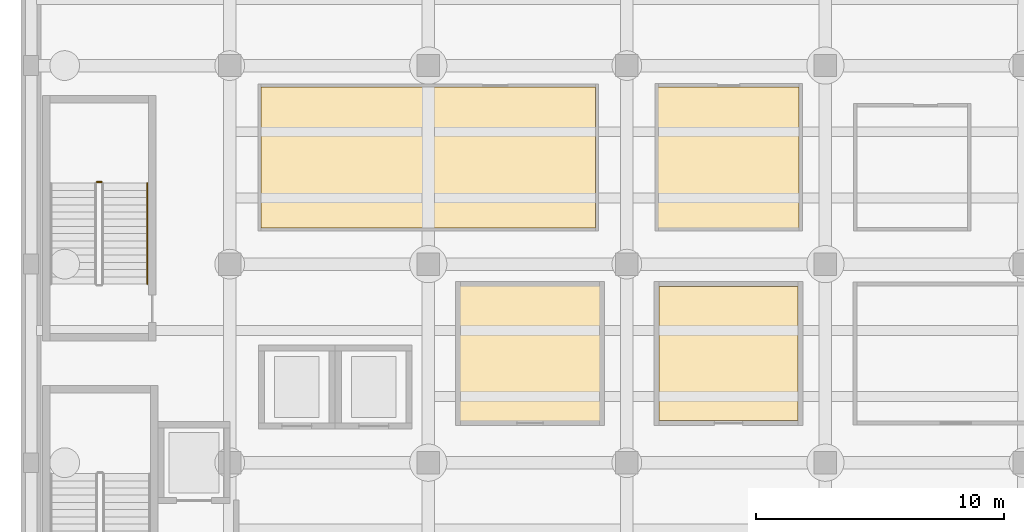
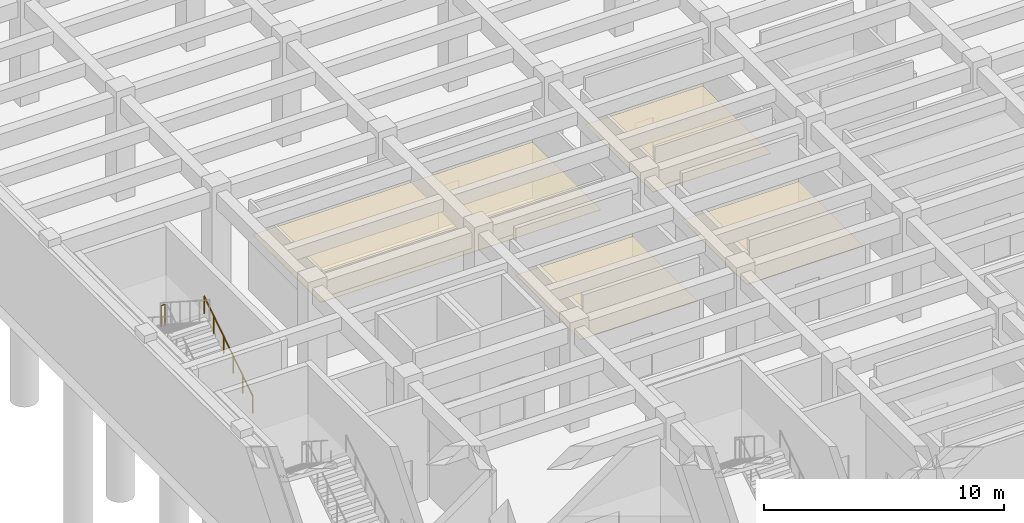
# One storey, part 14 of 18: 4 coverings, 2 railings.
"""IFC4 building model written with IfcOpenShell, lengths in metres."""

from ifc_helpers import new_model, si_unit, direction, frame, origin, origin_2d, place, context, subcontext, project, spatial, polyline, circle, outline, extrude, material, layer, layer_set, type_object, element, save


model = new_model("IFC4")

# Units and contexts
model_context = context("Model", 3, precision=1e-05, world=origin(), true_north=direction((0.0, 1.0)))
body_context = subcontext(model_context, "Body", "Model", "MODEL_VIEW")
ifc_project = project(units=[si_unit("LENGTHUNIT", "METRE"), si_unit("AREAUNIT", "SQUARE_METRE"), si_unit("VOLUMEUNIT", "CUBIC_METRE"), si_unit("PLANEANGLEUNIT", "RADIAN"), si_unit("MASSUNIT", "GRAM", prefix="KILO")], contexts=[model_context])

# Site, building, storey
site_placement = place(None, origin())
site = spatial("IfcSite", under=ifc_project, at=site_placement, CompositionType="ELEMENT")
building_placement = place(site_placement, origin())
building = spatial("IfcBuilding", under=site, at=building_placement, Name="Drelvath Fold Interchange", CompositionType="ELEMENT")
storey_placement = place(building_placement, frame((0.0, 0.0, -11.199951171875)))
storey = spatial("IfcBuildingStorey", under=building, at=storey_placement, Name="B2", CompositionType="ELEMENT", Elevation=-11.199951171875)

# Coverings
ifc_material_1 = material(Name="Perforated Aluminium Acoustic Ceiling", Category="aluminium")
ifc_layer = layer(ifc_material_1, 0.01806640625, Name="Perforated Aluminium Acoustic Ceiling")
ifc_layer_set = layer_set([ifc_layer], Name="Perforated Aluminium Acoustic Ceiling")
covering_type = type_object("IfcCoveringType", Name="CV-CEIL-AL18", PredefinedType="CEILING", material=ifc_layer_set)
covering_1_placement = place(storey_placement, frame((0.0, 0.0, 2.829833984375)))
element("IfcCovering", 1, at=covering_1_placement, inside=storey, type_object=covering_type, Name="Wayside Signalling Relay Room acoustic ceiling", PredefinedType="CEILING", context=body_context, shape_type="SweptSolid", body=[
    extrude(outline(polyline([(21.287109375, 20.68798828125), (26.9130859375, 20.68798828125), (26.9130859375, 26.113037109375), (21.287109375, 26.113037109375), (21.287109375, 20.68798828125)])), origin(), (0.0, 0.0, 1.0), 0.02001953125),
])
covering_2_placement = place(storey_placement, frame((0.0, 0.0, 2.829833984375)))
element("IfcCovering", 2, at=covering_2_placement, inside=storey, type_object=covering_type, Name="Deep Sump and Fire Pump Room acoustic ceiling", PredefinedType="CEILING", context=body_context, shape_type="SweptSolid", body=[
    extrude(outline(polyline([(29.294921875, 20.695068359375), (34.905029296875, 20.695068359375), (34.905029296875, 26.10498046875), (29.294921875, 26.10498046875), (29.294921875, 20.695068359375)])), origin(), (0.0, 0.0, 1.0), 0.02001953125),
])
covering_3_placement = place(storey_placement, frame((0.0, 0.0, 2.829833984375)))
element("IfcCovering", 3, at=covering_3_placement, inside=storey, type_object=covering_type, Name="Platform Staff Mess and Briefing acoustic ceiling", PredefinedType="CEILING", context=body_context, shape_type="SweptSolid", body=[
    extrude(outline(polyline([(13.2548828125, 28.455078125), (26.7451171875, 28.455078125), (26.7451171875, 34.14501953125), (13.2548828125, 34.14501953125), (13.2548828125, 28.455078125)])), origin(), (0.0, 0.0, 1.0), 0.02001953125),
])
covering_4_placement = place(storey_placement, frame((0.0, 0.0, 2.829833984375)))
element("IfcCovering", 4, at=covering_4_placement, inside=storey, type_object=covering_type, Name="Platform Public Toilet Block acoustic ceiling", PredefinedType="CEILING", context=body_context, shape_type="SweptSolid", body=[
    extrude(outline(polyline([(29.261962890625, 28.4619140625), (34.93798828125, 28.4619140625), (34.93798828125, 34.137939453125), (29.261962890625, 34.137939453125), (29.261962890625, 28.4619140625)])), origin(), (0.0, 0.0, 1.0), 0.02001953125),
])

# Railings
ifc_material_2 = material(Name="Stainless Steel 316L", Category="steel")
railing_type_1 = type_object("IfcRailingType", Name="RL-GRD1100", PredefinedType="GUARDRAIL", material=ifc_material_2)
railing_1_placement = place(storey_placement, frame((6.840087890625, 30.31005859375, 2.800048828125)))
element("IfcRailing", 5, at=railing_1_placement, inside=storey, type_object=railing_type_1, Name="B2 ST-02 stair guard 2", PredefinedType="GUARDRAIL", context=body_context, shape_type="SweptSolid", body=[
    extrude(circle(Radius=0.02392578125, at=origin_2d()), frame((0.0, 0.0, 1.076171875), z_axis=(-1.0, 0.0, 0.0), x_axis=(0.0, -1.0, 0.0)), (0.0, 0.0, 1.0), 0.2001953125),
    extrude(circle(Radius=0.02099609375, at=origin_2d()), origin(), (0.0, 0.0, 1.0), 1.052001953125),
    extrude(circle(Radius=0.02099609375, at=origin_2d()), frame((-0.2001953125, 0.0, 0.0)), (0.0, 0.0, 1.0), 1.052001953125),
])
railing_type_2 = type_object("IfcRailingType", Name="RL-HND920", PredefinedType="HANDRAIL", material=ifc_material_2)
railing_2_placement = place(storey_placement, frame((8.679931640625, 26.199951171875, 0.1865234375)))
element("IfcRailing", 6, at=railing_2_placement, inside=storey, type_object=railing_type_2, Name="B2 ST-02 stair handrail 1", PredefinedType="HANDRAIL", context=body_context, shape_type="SweptSolid", body=[
    extrude(circle(Radius=0.02392578125, at=origin_2d()), frame((0.0, 0.0, 0.8759765625), z_axis=(0.0, 0.840849756928, 0.541268589772), x_axis=(-1.0, 0.0, 0.0)), (0.0, 0.0, 1.0), 4.82861328125),
    extrude(circle(Radius=0.02099609375, at=origin_2d()), origin(), (0.0, 0.0, 1.0), 0.851806640625),
    extrude(circle(Radius=0.02099609375, at=origin_2d()), frame((0.0, 0.81201171875, 0.522705078125)), (0.0, 0.0, 1.0), 0.851806640625),
    extrude(circle(Radius=0.02099609375, at=origin_2d()), frame((0.0, 1.6240234375, 1.04541015625)), (0.0, 0.0, 1.0), 0.851806640625),
    extrude(circle(Radius=0.02099609375, at=origin_2d()), frame((0.0, 2.43603515625, 1.568115234375)), (0.0, 0.0, 1.0), 0.851806640625),
    extrude(circle(Radius=0.02099609375, at=origin_2d()), frame((0.0, 3.248046875, 2.0908203125)), (0.0, 0.0, 1.0), 0.851806640625),
    extrude(circle(Radius=0.02099609375, at=origin_2d()), frame((0.0, 4.06005859375, 2.613525390625)), (0.0, 0.0, 1.0), 0.851806640625),
])

save(model, "model.ifc")
